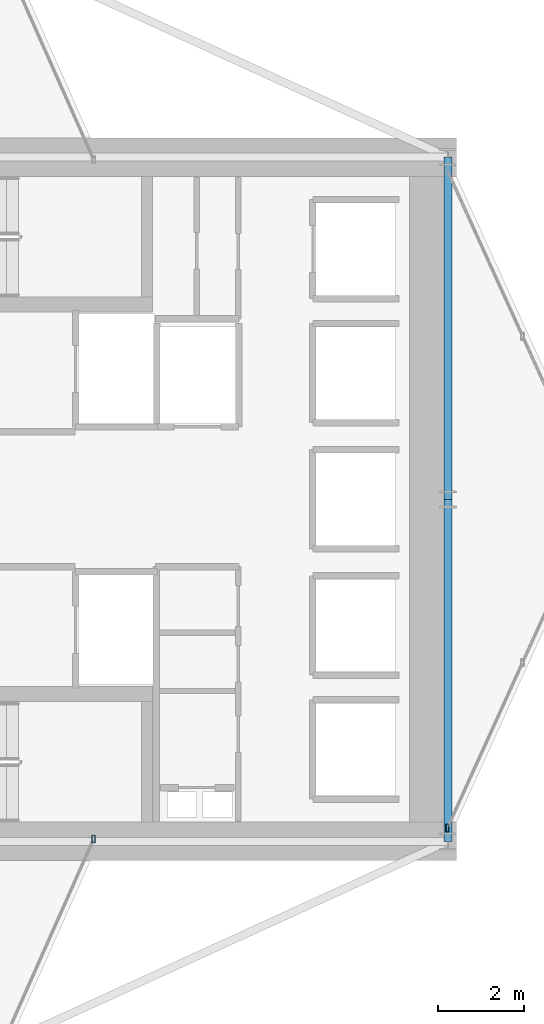
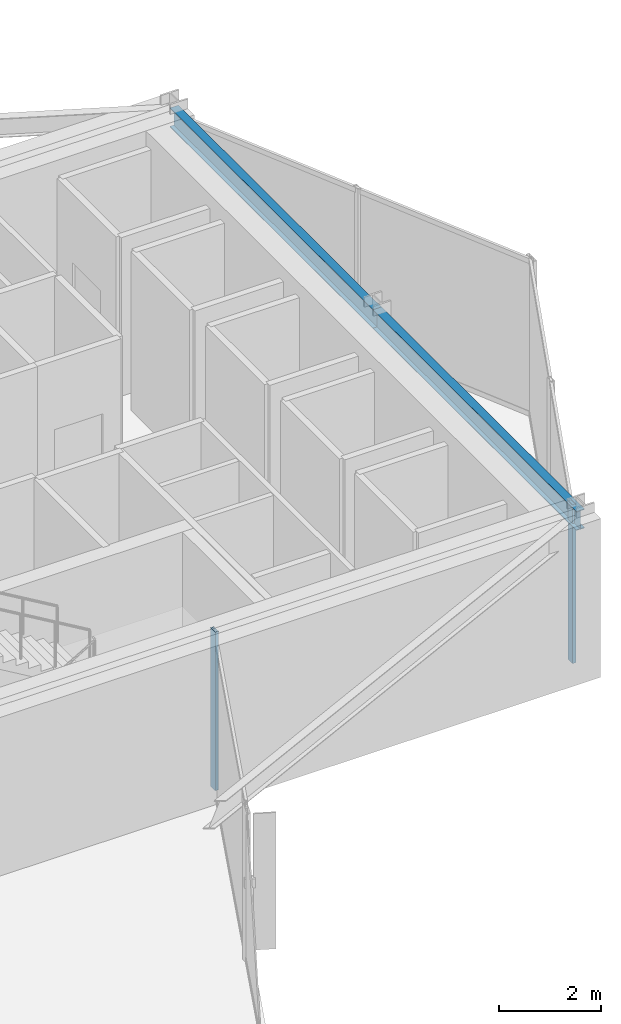
# One storey, part 12 of 23: 2 beams, 2 members, 2 elements without a shape of their own.
"""IFC4 building model written with IfcOpenShell, lengths in metres."""

from ifc_helpers import new_model, si_unit, direction, frame, origin, origin_2d, place, context, subcontext, project, spatial, hollow_rectangle, i_section, extrude, material, layer, layer_set, material_profile, profile_set, type_object, element, aggregate, save


model = new_model("IFC4")

# Units and contexts
model_context = context("Model", 3, precision=1e-05, world=origin(), true_north=direction((0.0, 1.0)))
body_context = subcontext(model_context, "Body", "Model", "MODEL_VIEW")
ifc_project = project(units=[si_unit("LENGTHUNIT", "METRE"), si_unit("AREAUNIT", "SQUARE_METRE"), si_unit("VOLUMEUNIT", "CUBIC_METRE"), si_unit("PLANEANGLEUNIT", "RADIAN"), si_unit("MASSUNIT", "GRAM", prefix="KILO")], contexts=[model_context])

# Site, building, storey
site_placement = place(None, origin())
site = spatial("IfcSite", under=ifc_project, at=site_placement, CompositionType="ELEMENT")
building_placement = place(site_placement, origin())
building = spatial("IfcBuilding", under=site, at=building_placement, Name="Veymaron Broadcast Tower", CompositionType="ELEMENT")
storey_placement = place(building_placement, frame((0.0, 0.0, 94.5)))
storey = spatial("IfcBuildingStorey", under=building, at=storey_placement, Name="L21", CompositionType="ELEMENT", Elevation=94.5)

# Beams
ifc_material_1 = material(Name="Structural steel ASTM A992 Gr 50", Category="steel")
ifc_material_profile_1 = material_profile(ifc_material_1, i_section(OverallWidth=0.19091796875, OverallDepth=0.4599609375, WebThickness=0.010009765625, FlangeThickness=0.01611328125, at=origin_2d()), Name="W460X82")
ifc_profile_set_1 = profile_set([ifc_material_profile_1], Name="Structural steel ASTM A992 Gr 50")
beam_type = type_object("IfcBeamType", Name="BM-SP1", PredefinedType="SPANDREL", material=ifc_profile_set_1)
for number, where, z_axis, x_axis, name in (
    (1, (54.60009765625, 16.0, 3.580078125), (0.0, 1.0, 0.0), (-1.0, 0.0, 0.0), "L21 primary structural floor girder"),
    (2, (54.60009765625, 24.0, 3.580078125), (0.0, 1.0, 0.0), (-1.0, 0.0, 0.0), "L21 primary structural floor girder"),
):
    element("IfcBeam", number, at=place(storey_placement, frame(where, z_axis=z_axis, x_axis=x_axis)), inside=storey, type_object=beam_type, Name=name, PredefinedType="SPANDREL", context=body_context, shape_type="SweptSolid", body=[
        extrude(i_section(OverallWidth=0.19091796875, OverallDepth=0.4599609375, WebThickness=0.010009765625, FlangeThickness=0.01611328125, at=origin_2d()), origin(), (0.0, 0.0, 1.0), 8.0),
    ])

# Curtain wall, member
ifc_material_2 = material(Name="Anodised aluminium AA 6063-T6 and laminated low-E dark glass", Category="aluminium")
ifc_layer = layer(ifc_material_2, 0.179931640625)
ifc_layer_set = layer_set([ifc_layer], Name="Anodised aluminium AA 6063-T6 and laminated low-E dark glass")
curtain_wall_type = type_object("IfcCurtainWallType", Name="CW-SYS-02", PredefinedType="NOTDEFINED", material=ifc_layer_set)
curtain_wall_1_placement = place(storey_placement, origin())
curtain_wall_1 = element("IfcCurtainWall", 3, at=curtain_wall_1_placement, inside=storey, type_object=curtain_wall_type, Name="L21 dark-glass curtain wall CW-L21-E2-1", PredefinedType="NOTDEFINED")
ifc_material_3 = material(Name="Anodised aluminium AA 6063-T6", Category="aluminium")
ifc_material_profile_2 = material_profile(ifc_material_3, hollow_rectangle(XDim=0.074951171875, YDim=0.179931640625, WallThickness=0.0048828125, at=origin_2d()), Name="AL180X75X5")
ifc_profile_set_2 = profile_set([ifc_material_profile_2], Name="Anodised aluminium AA 6063-T6")
member_type = type_object("IfcMemberType", Name="CW-MUL-02", PredefinedType="MULLION", material=ifc_profile_set_2)
member_1_placement = place(storey_placement, frame((54.58935546875, 16.315185546875, 0.0), z_axis=(0.0, 0.0, 1.0), x_axis=(1.0, 0.0, 0.0)))
member_1 = element("IfcMember", 4, at=member_1_placement, type_object=member_type, Name="CW-L21-E2-1 mullion 0", PredefinedType="MULLION", context=body_context, shape_type="SweptSolid", body=[
    extrude(hollow_rectangle(XDim=0.074951171875, YDim=0.179931640625, WallThickness=0.0048828125, at=origin_2d()), origin(), (0.0, 0.0, 1.0), 3.81005859375),
])
aggregate(curtain_wall_1, [member_1])

curtain_wall_2_placement = place(storey_placement, origin())
curtain_wall_2 = element("IfcCurtainWall", 5, at=curtain_wall_2_placement, inside=storey, type_object=curtain_wall_type, Name="L21 dark-glass curtain wall CW-L21-E20-1", PredefinedType="NOTDEFINED")
member_2_placement = place(storey_placement, frame((46.31689453125, 16.056884765625, 0.0), z_axis=(0.0, 0.0, 1.0), x_axis=(1.0, 0.0, 0.0)))
member_2 = element("IfcMember", 6, at=member_2_placement, type_object=member_type, Name="CW-L21-E20-1 mullion 2", PredefinedType="MULLION", context=body_context, shape_type="SweptSolid", body=[
    extrude(hollow_rectangle(XDim=0.074951171875, YDim=0.179931640625, WallThickness=0.0048828125, at=origin_2d()), origin(), (0.0, 0.0, 1.0), 3.81005859375),
])
aggregate(curtain_wall_2, [member_2])

save(model, "model.ifc")
